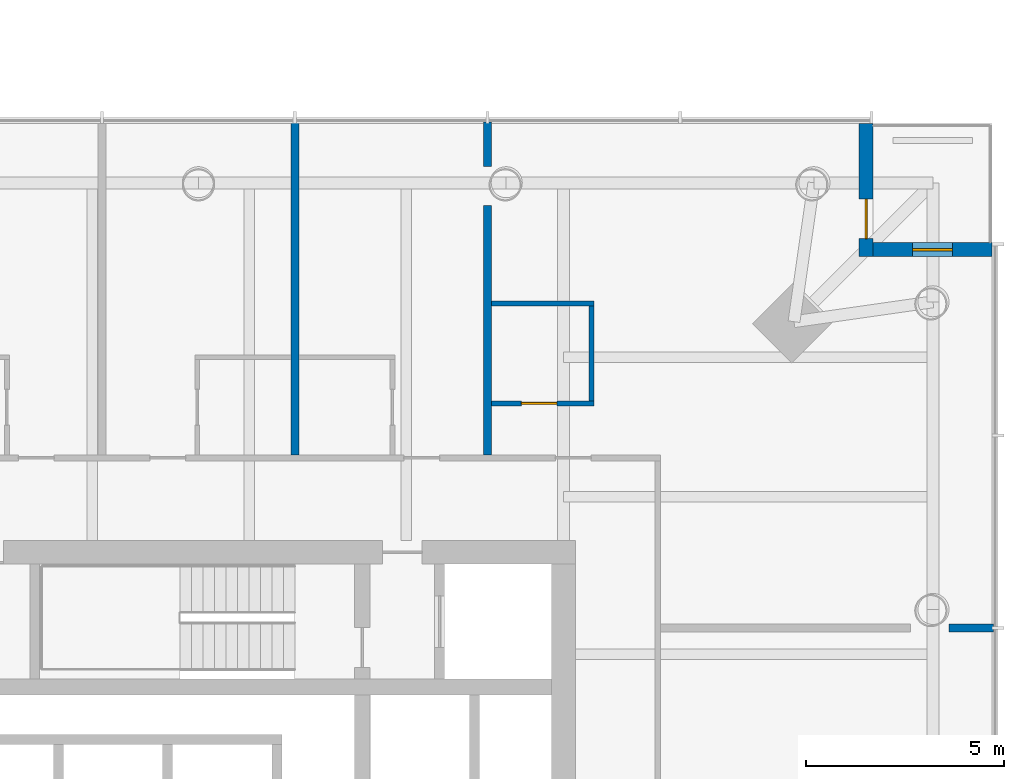
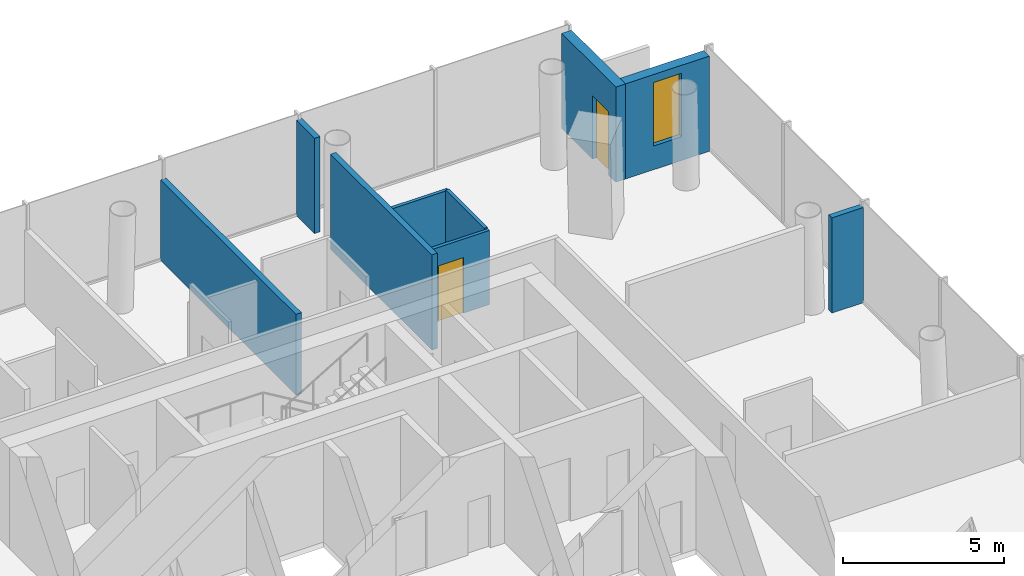
# One storey, part 17 of 21: 9 walls, 2 doors, 1 window, 3 openings.
"""IFC4 building model written with IfcOpenShell, lengths in metres."""

import ifcopenshell
import ifcopenshell.guid

model = None  # the IFC model being written
_history = None  # IfcOwnerHistory: only IFC2X3 demands one
_inside = {}  # id of a spatial element -> (the spatial element, [elements in it])
_under = {}  # id of a project, library or spatial element -> (it, [spatial elements below it])
_declared = {}  # id of a project -> (the project, [libraries it declares])
_typed = {}  # id of a type object -> (the type object, [elements of that type])
_made_of = {}  # id of a material, layer set ... -> (it, [elements and type objects made of it])


def new_model(schema):
    """Start an empty IFC model of exactly this schema.

    Asked for "IFC4X3", IfcOpenShell would pick the latest addendum, in which some entities
    have other attributes; the version numbers below select the first issue.
    IFC2X3 requires an IfcOwnerHistory on every rooted entity: one is made here for all.
    """
    global model, _history
    if schema == "IFC4X3":
        model = ifcopenshell.file(schema_version=(4, 3, 0, 0))
    else:
        model = ifcopenshell.file(schema=schema)
    _inside.clear()
    _under.clear()
    _declared.clear()
    _typed.clear()
    _made_of.clear()
    _history = None
    if model.schema == "IFC2X3":
        org = make("IfcOrganization", Name="unknown")
        user = make(
            "IfcPersonAndOrganization",
            ThePerson=make("IfcPerson", FamilyName="unknown"),
            TheOrganization=org,
        )
        app = make(
            "IfcApplication",
            ApplicationDeveloper=org,
            Version="unknown",
            ApplicationFullName="unknown",
            ApplicationIdentifier="unknown",
        )
        _history = make(
            "IfcOwnerHistory",
            OwningUser=user,
            OwningApplication=app,
            ChangeAction="ADDED",
            CreationDate=0,
        )
    return model


def make(cls, **values):
    """One entity of the class cls with the attributes given. An attribute that is None is left unset."""
    return model.create_entity(
        cls, **{name: value for name, value in values.items() if value is not None}
    )


def rooted(cls, **values):
    """An entity with a GlobalId (a new one), such as an element, a storey or a relation."""
    return make(cls, GlobalId=ifcopenshell.guid.new(), OwnerHistory=_history, **values)


def si_unit(unit_type, name, prefix=None):
    """IfcSIUnit, for example si_unit("LENGTHUNIT", "METRE", prefix="MILLI")."""
    return make("IfcSIUnit", UnitType=unit_type, Prefix=prefix, Name=name)


def assignment(units):
    """IfcUnitAssignment: the units of a project."""
    return None if units is None else make("IfcUnitAssignment", Units=units)


def point(xyz):
    """IfcCartesianPoint."""
    return None if xyz is None else make("IfcCartesianPoint", Coordinates=xyz)


def direction(xyz):
    """IfcDirection."""
    return None if xyz is None else make("IfcDirection", DirectionRatios=xyz)


def frame(location, z_axis=None, x_axis=None):
    """IfcAxis2Placement3D, a coordinate frame: its origin and axes. An axis left out is left unset."""
    return make(
        "IfcAxis2Placement3D",
        Location=point(location),
        Axis=direction(z_axis),
        RefDirection=direction(x_axis),
    )


def frame_2d(location, x_axis=None):
    """IfcAxis2Placement2D, a coordinate frame in the plane: its origin and x axis."""
    return make(
        "IfcAxis2Placement2D", Location=point(location), RefDirection=direction(x_axis)
    )


def origin():
    """The frame at (0, 0, 0) with its axes left unset."""
    return frame((0.0, 0.0, 0.0))


def place(relative_to, where):
    """IfcLocalPlacement: puts the frame where relative to a parent placement (None: the world)."""
    return make(
        "IfcLocalPlacement", PlacementRelTo=relative_to, RelativePlacement=where
    )


def context(
    kind, dimensions, precision=None, world=None, true_north=None, identifier=None
):
    """IfcGeometricRepresentationContext, for example the 3D "Model" context."""
    return make(
        "IfcGeometricRepresentationContext",
        ContextIdentifier=identifier,
        ContextType=kind,
        CoordinateSpaceDimension=dimensions,
        Precision=precision,
        WorldCoordinateSystem=world,
        TrueNorth=true_north,
    )


def subcontext(parent, identifier, kind, view, scale=None):
    """IfcGeometricRepresentationSubContext, for example "Body" below "Model"."""
    return make(
        "IfcGeometricRepresentationSubContext",
        ContextIdentifier=identifier,
        ContextType=kind,
        ParentContext=parent,
        TargetScale=scale,
        TargetView=view,
    )


def project(units=None, contexts=None):
    """IfcProject with its units and contexts."""
    return rooted(
        "IfcProject",
        Name="project",
        RepresentationContexts=contexts,
        UnitsInContext=assignment(units),
    )


def spatial(cls, under=None, at=None, **own):
    """A site, building, storey or space (cls), placed at a placement, below another one or the project."""
    s = rooted(cls, ObjectPlacement=at, **own)
    if under is not None:
        _under.setdefault(under.id(), (under, []))[1].append(s)
    return s


def profile(cls, at=None, kind="AREA", **sizes):
    """A parametric profile (cls). Its sizes go by their IFC names, for example OverallWidth=200.0."""
    return make(cls, ProfileType=kind, Position=at, **sizes)


def rectangle(**sizes):
    """IfcRectangleProfileDef."""
    return profile("IfcRectangleProfileDef", **sizes)


def extrude(swept, where, along, depth):
    """IfcExtrudedAreaSolid: the profile swept, set in the frame where, extruded along a direction by depth."""
    return make(
        "IfcExtrudedAreaSolid",
        SweptArea=swept,
        Position=where,
        ExtrudedDirection=direction(along),
        Depth=depth,
    )


def shape(context_of_items, identifier, shape_type, items):
    """IfcShapeRepresentation: the items that make up one representation, for example the "Body"."""
    return make(
        "IfcShapeRepresentation",
        ContextOfItems=context_of_items,
        RepresentationIdentifier=identifier,
        RepresentationType=shape_type,
        Items=items,
    )


def material(Name=None, Category=None):
    """IfcMaterial."""
    return make("IfcMaterial", Name=Name, Category=Category)


def layer(
    of_material, thickness, ventilated=None, Name=None, Category=None, Priority=None
):
    """IfcMaterialLayer: one layer of a wall or slab, of a material (None: an air gap)."""
    return make(
        "IfcMaterialLayer",
        Material=of_material,
        LayerThickness=thickness,
        IsVentilated=ventilated,
        Name=Name,
        Category=Category,
        Priority=Priority,
    )


def layer_set(layers, Name=None):
    """IfcMaterialLayerSet."""
    return make("IfcMaterialLayerSet", MaterialLayers=layers, LayerSetName=Name)


def made_of(thing, what):
    """Note that an element or type object is made of a material, layer set ...; save() writes the relation."""
    if what is not None:
        _made_of.setdefault(what.id(), (what, []))[1].append(thing)
    return thing


def type_object(cls, material=None, **own):
    """A type object (cls), such as IfcWallType, which elements share."""
    return made_of(rooted(cls, **own), material)


def element(
    cls,
    number,
    at=None,
    inside=None,
    cuts=None,
    type_object=None,
    material=None,
    context=None,
    identifier="Body",
    shape_type=None,
    held_by="IfcProductDefinitionShape",
    body=None,
    shapes=None,
    **own,
):
    """One element of the class cls, such as IfcWall. Its Tag is "e" and its number.

    at: its placement. inside: the storey or other place that contains it. cuts: it is an
    opening in that element (IfcRelVoidsElement). A single representation is given by context,
    identifier, shape_type and body (its items); several are given by shapes. held_by: the class
    of the entity that holds the representations. save() writes the other relations.
    """
    e = rooted(cls, Tag="e%d" % number, ObjectPlacement=at, **own)
    if body is not None:
        shapes = [shape(context, identifier, shape_type, body)]
    if shapes is not None:
        e.Representation = make(held_by, Representations=shapes)
    if inside is not None:
        _inside.setdefault(inside.id(), (inside, []))[1].append(e)
    if cuts is not None:
        rooted(
            "IfcRelVoidsElement", RelatingBuildingElement=cuts, RelatedOpeningElement=e
        )
    if type_object is not None:
        _typed.setdefault(type_object.id(), (type_object, []))[1].append(e)
    return made_of(e, material)


def fill(opening, filler):
    """IfcRelFillsElement: the door or window that sits in an opening."""
    return rooted(
        "IfcRelFillsElement",
        RelatingOpeningElement=opening,
        RelatedBuildingElement=filler,
    )


def aggregate(whole, parts):
    """IfcRelAggregates: a whole, such as a stair, and the parts it consists of."""
    return rooted("IfcRelAggregates", RelatingObject=whole, RelatedObjects=parts)


def save(model, path):
    """Write the relations noted so far, then the file.

    IfcRelAggregates (storeys below a building ...), IfcRelContainedInSpatialStructure (elements
    in a storey), IfcRelDefinesByType, IfcRelAssociatesMaterial and IfcRelDeclares: one each for
    every whole, place, type object, material and project.
    """
    for whole, parts in _under.values():
        aggregate(whole, parts)
    for where, things in _inside.values():
        rooted(
            "IfcRelContainedInSpatialStructure",
            RelatedElements=things,
            RelatingStructure=where,
        )
    for kind, things in _typed.values():
        rooted("IfcRelDefinesByType", RelatedObjects=things, RelatingType=kind)
    for what, things in _made_of.values():
        rooted("IfcRelAssociatesMaterial", RelatedObjects=things, RelatingMaterial=what)
    for by, libraries in _declared.values():
        rooted("IfcRelDeclares", RelatingContext=by, RelatedDefinitions=libraries)
    model.write(path)


model = new_model("IFC4")

# Units and contexts
model_context = context("Model", 3, precision=1e-05, world=origin(), true_north=direction((0.0, 1.0)))
body_context = subcontext(model_context, "Body", "Model", "MODEL_VIEW")
ifc_project = project(units=[si_unit("LENGTHUNIT", "METRE"), si_unit("AREAUNIT", "SQUARE_METRE"), si_unit("VOLUMEUNIT", "CUBIC_METRE"), si_unit("PLANEANGLEUNIT", "RADIAN"), si_unit("MASSUNIT", "GRAM", prefix="KILO")], contexts=[model_context])

# Site, building, storey
site_placement = place(None, origin())
site = spatial("IfcSite", under=ifc_project, at=site_placement, CompositionType="ELEMENT")
building_placement = place(site_placement, origin())
building = spatial("IfcBuilding", under=site, at=building_placement, Name="Ostroluk Exchange", CompositionType="ELEMENT")
storey_placement = place(building_placement, frame((0.0, 0.0, 32.39990234375)))
storey = spatial("IfcBuildingStorey", under=building, at=storey_placement, Name="L07", CompositionType="ELEMENT", Elevation=32.39990234375)

# Wall, opening, door
ifc_material_1 = material(Name="Limestone", Category="masonry")
ifc_layer_1 = layer(ifc_material_1, 0.35009765625)
ifc_layer_set_1 = layer_set([ifc_layer_1], Name="Limestone facade wall 350")
wall_type_1 = type_object("IfcWallType", Name="Limestone facade wall 350", PredefinedType="SOLIDWALL", material=ifc_layer_set_1)
wall_1_placement = place(storey_placement, frame((133.824951171875, 66.0, 0.0), z_axis=(0.0, 0.0, 1.0), x_axis=(0.0, -1.0, 0.0)))
wall_1 = element("IfcWall", 1, at=wall_1_placement, inside=storey, type_object=wall_type_1, Name="Hotel tower NE corner wall L07 a", PredefinedType="SOLIDWALL", context=body_context, shape_type="SweptSolid", body=[
    extrude(rectangle(XDim=3.35009765625, YDim=0.35009765625, at=frame_2d((1.675048828125, 0.0))), origin(), (0.0, 0.0, 1.0), 3.60009765625),
])
opening_1_placement = place(wall_1_placement, frame((1.89990234375, 0.0, 0.0)))
opening_1 = element("IfcOpeningElement", 2, at=opening_1_placement, cuts=wall_1, Name="Opening D-B1", PredefinedType="OPENING", context=body_context, shape_type="SweptSolid", body=[
    extrude(rectangle(XDim=1.0, YDim=2.39990234375, at=frame_2d((0.5, 1.199951171875))), frame((0.0, 0.18505859375, 0.0), z_axis=(0.0, -1.0, 0.0), x_axis=(1.0, 0.0, 0.0)), (0.0, 0.0, 1.0), 0.3701171875),
])
ifc_material_2 = material(Name="Bronze framed glazed door", Category="aluminium")
door_type_1 = type_object("IfcDoorType", Name="Balcony door 1000 x 2400", OperationType="SINGLE_SWING_LEFT", PredefinedType="DOOR", material=ifc_material_2)
door_1_placement = place(opening_1_placement, origin())
door_1 = element("IfcDoor", 3, at=door_1_placement, inside=storey, type_object=door_type_1, Name="Hotel tower NE balcony door L07", OperationType="SINGLE_SWING_RIGHT", OverallHeight=2.39990234375, OverallWidth=1.0, PredefinedType="DOOR", context=body_context, shape_type="SweptSolid", body=[
    extrude(rectangle(XDim=1.0, YDim=2.39990234375, at=frame_2d((0.5, 1.199951171875))), frame((0.0, 0.02490234375, 0.0), z_axis=(0.0, -1.0, 0.0), x_axis=(1.0, 0.0, 0.0)), (0.0, 0.0, 1.0), 0.050048828125),
])
fill(opening_1, door_1)

# Wall, opening, window
wall_2_placement = place(storey_placement, frame((134.0, 62.824951171875, 0.0), z_axis=(0.0, 0.0, 1.0), x_axis=(1.0, 0.0, 0.0)))
wall_2 = element("IfcWall", 4, at=wall_2_placement, inside=storey, type_object=wall_type_1, Name="Hotel tower NE corner wall L07 b", PredefinedType="SOLIDWALL", context=body_context, shape_type="SweptSolid", body=[
    extrude(rectangle(XDim=3.0, YDim=0.35009765625, at=frame_2d((1.5, 0.0))), origin(), (0.0, 0.0, 1.0), 3.60009765625),
])
opening_2_placement = place(wall_2_placement, frame((1.0, 0.0, 0.89990234375)))
opening_2 = element("IfcOpeningElement", 5, at=opening_2_placement, cuts=wall_2, Name="Opening WN-L3", PredefinedType="OPENING", context=body_context, shape_type="SweptSolid", body=[
    extrude(rectangle(XDim=1.0, YDim=2.39990234375, at=frame_2d((0.5, 1.199951171875))), frame((0.0, 0.18505859375, 0.0), z_axis=(0.0, -1.0, 0.0), x_axis=(1.0, 0.0, 0.0)), (0.0, 0.0, 1.0), 0.3701171875),
])
ifc_material_3 = material(Name="Laminated clear glass", Category="glass")
window_type = type_object("IfcWindowType", Name="Hotel lancet window 1000 x 2400", PartitioningType="SINGLE_PANEL", PredefinedType="WINDOW", material=ifc_material_3)
window_placement = place(opening_2_placement, origin())
window = element("IfcWindow", 6, at=window_placement, inside=storey, type_object=window_type, Name="Hotel tower NE lancet window L07", OverallHeight=2.39990234375, OverallWidth=1.0, PartitioningType="SINGLE_PANEL", PredefinedType="WINDOW", context=body_context, shape_type="SweptSolid", body=[
    extrude(rectangle(XDim=1.0, YDim=2.39990234375, at=frame_2d((0.5, 1.199951171875))), frame((0.0, 0.030029296875, 0.0), z_axis=(0.0, -1.0, 0.0), x_axis=(1.0, 0.0, 0.0)), (0.0, 0.0, 1.0), 0.06005859375),
])
fill(opening_2, window)

# Wall, opening, door
ifc_material_4 = material(Name="Gypsum plasterboard partition, moisture resistant", Category="gypsum")
ifc_layer_2 = layer(ifc_material_4, 0.1201171875)
ifc_layer_set_2 = layer_set([ifc_layer_2], Name="Plasterboard en-suite wall 120")
wall_type_2 = type_object("IfcWallType", Name="Plasterboard en-suite wall 120", PredefinedType="PARTITIONING", material=ifc_layer_set_2)
wall_3_placement = place(storey_placement, frame((124.3857421875, 58.949951171875, 0.0), z_axis=(0.0, 0.0, 1.0), x_axis=(1.0, 0.0, 0.0)))
wall_3 = element("IfcWall", 7, at=wall_3_placement, inside=storey, type_object=wall_type_2, Name="En-suite wall", PredefinedType="PARTITIONING", context=body_context, shape_type="SweptSolid", body=[
    extrude(rectangle(XDim=2.580078125, YDim=0.1201171875, at=frame_2d((1.2900390625, 0.0))), origin(), (0.0, 0.0, 1.0), 2.800048828125),
])
opening_3_placement = place(wall_3_placement, frame((0.75, 0.0, 0.0)))
opening_3 = element("IfcOpeningElement", 8, at=opening_3_placement, cuts=wall_3, Name="Opening D-02", PredefinedType="OPENING", context=body_context, shape_type="SweptSolid", body=[
    extrude(rectangle(XDim=0.89990234375, YDim=2.10009765625, at=frame_2d((0.449951171875, 1.050048828125))), frame((0.0, 0.070068359375, 0.0), z_axis=(0.0, -1.0, 0.0), x_axis=(1.0, 0.0, 0.0)), (0.0, 0.0, 1.0), 0.14013671875),
])
ifc_material_5 = material(Name="Timber", Category="wood")
door_type_2 = type_object("IfcDoorType", Name="En-suite door 900 x 2100", OperationType="SINGLE_SWING_LEFT", PredefinedType="DOOR", material=ifc_material_5)
door_2_placement = place(opening_3_placement, origin())
door_2 = element("IfcDoor", 9, at=door_2_placement, inside=storey, type_object=door_type_2, Name="En-suite door 703", OperationType="SINGLE_SWING_LEFT", OverallHeight=2.10009765625, OverallWidth=0.89990234375, PredefinedType="DOOR", context=body_context, shape_type="SweptSolid", body=[
    extrude(rectangle(XDim=0.89990234375, YDim=2.10009765625, at=frame_2d((0.449951171875, 1.050048828125))), frame((0.0, 0.02490234375, 0.0), z_axis=(0.0, -1.0, 0.0), x_axis=(1.0, 0.0, 0.0)), (0.0, 0.0, 1.0), 0.050048828125),
])
fill(opening_3, door_2)

# Walls
wall_4_placement = place(storey_placement, frame((124.3857421875, 61.469970703125, 0.0), z_axis=(0.0, 0.0, 1.0), x_axis=(1.0, 0.0, 0.0)))
element("IfcWall", 10, at=wall_4_placement, inside=storey, type_object=wall_type_2, Name="En-suite wall", PredefinedType="PARTITIONING", context=body_context, shape_type="SweptSolid", body=[
    extrude(rectangle(XDim=2.580078125, YDim=0.1201171875, at=frame_2d((1.2900390625, 0.0))), origin(), (0.0, 0.0, 1.0), 2.800048828125),
])
wall_5_placement = place(storey_placement, frame((126.90576171875, 59.010009765625, 0.0), z_axis=(0.0, 0.0, 1.0), x_axis=(0.0, 1.0, 0.0)))
element("IfcWall", 11, at=wall_5_placement, inside=storey, type_object=wall_type_2, Name="En-suite wall", PredefinedType="PARTITIONING", context=body_context, shape_type="SweptSolid", body=[
    extrude(rectangle(XDim=2.39990234375, YDim=0.1201171875, at=frame_2d((1.199951171875, 0.0))), origin(), (0.0, 0.0, 1.0), 2.84716796875),
])
ifc_material_6 = material(Name="Gypsum plasterboard partition", Category="gypsum")
ifc_layer_3 = layer(ifc_material_6, 0.199951171875)
ifc_layer_set_3 = layer_set([ifc_layer_3], Name="Plasterboard party wall 200")
wall_type_3 = type_object("IfcWallType", Name="Plasterboard party wall 200", PredefinedType="PARTITIONING", material=ifc_layer_set_3)
wall_6_placement = place(storey_placement, frame((135.9150390625, 53.28564453125, 0.0), z_axis=(0.0, 0.0, 1.0), x_axis=(1.0, 0.0, 0.0)))
element("IfcWall", 12, at=wall_6_placement, inside=storey, type_object=wall_type_3, Name="Party wall", PredefinedType="PARTITIONING", context=body_context, shape_type="SweptSolid", body=[
    extrude(rectangle(XDim=1.125, YDim=0.199951171875, at=frame_2d((0.5625, 0.0))), origin(), (0.0, 0.0, 1.0), 3.60009765625),
])
wall_7_placement = place(storey_placement, frame((124.28564453125, 57.64990234375, 0.0), z_axis=(0.0, 0.0, 1.0), x_axis=(0.0, 1.0, 0.0)))
element("IfcWall", 13, at=wall_7_placement, inside=storey, type_object=wall_type_3, Name="Party wall", PredefinedType="PARTITIONING", context=body_context, shape_type="SweptSolid", body=[
    extrude(rectangle(XDim=6.288330078125, YDim=0.199951171875, at=frame_2d((3.14404296875, 0.0))), origin(), (0.0, 0.0, 1.0), 3.60009765625),
])
wall_8_placement = place(storey_placement, frame((124.28564453125, 64.9150390625, 0.0), z_axis=(0.0, 0.0, 1.0), x_axis=(0.0, 1.0, 0.0)))
element("IfcWall", 14, at=wall_8_placement, inside=storey, type_object=wall_type_3, Name="Party wall", PredefinedType="PARTITIONING", context=body_context, shape_type="SweptSolid", body=[
    extrude(rectangle(XDim=1.125, YDim=0.199951171875, at=frame_2d((0.5625, 0.0))), origin(), (0.0, 0.0, 1.0), 3.60009765625),
])
wall_9_placement = place(storey_placement, frame((119.428466796875, 57.64990234375, 0.0), z_axis=(0.0, 0.0, 1.0), x_axis=(0.0, 1.0, 0.0)))
element("IfcWall", 15, at=wall_9_placement, inside=storey, type_object=wall_type_3, Name="Party wall", PredefinedType="PARTITIONING", context=body_context, shape_type="SweptSolid", body=[
    extrude(rectangle(XDim=8.39013671875, YDim=0.199951171875, at=frame_2d((4.195068359375, 0.0))), origin(), (0.0, 0.0, 1.0), 3.050048828125),
])

save(model, "model.ifc")
